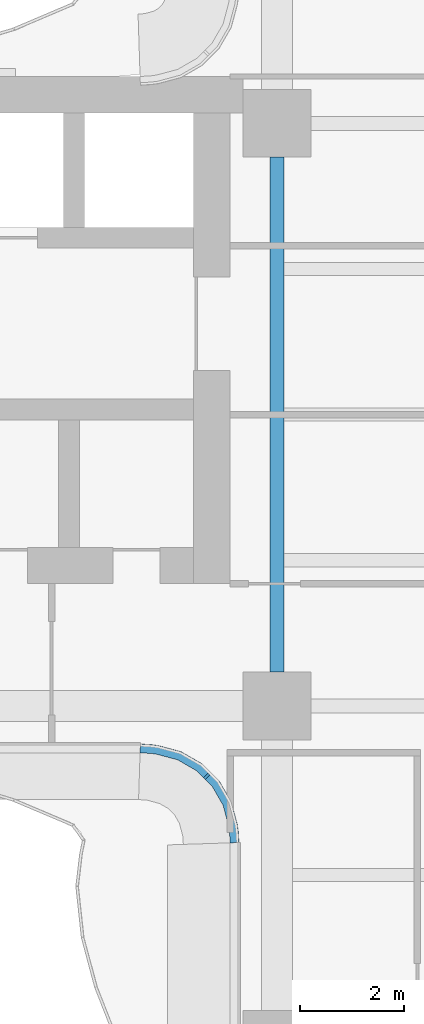
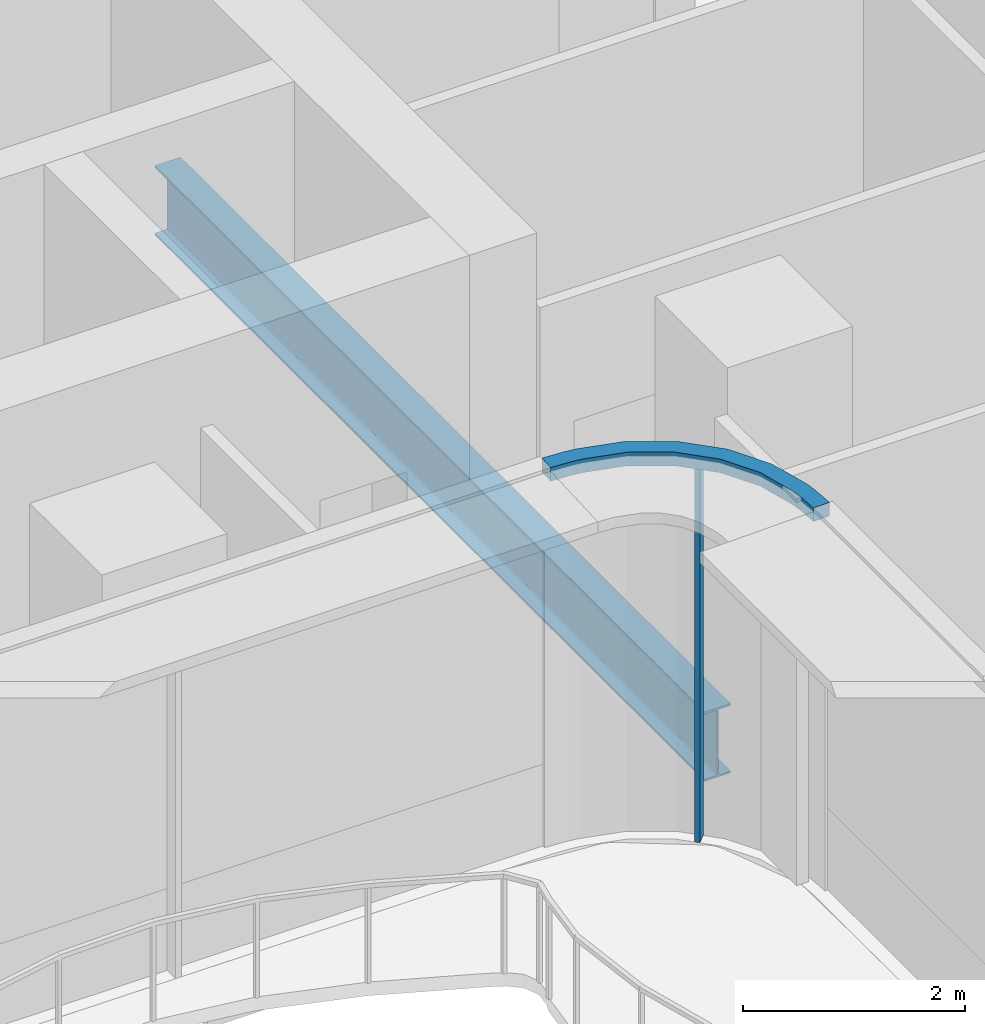
# One storey, part 4 of 20: 2 members, 1 beam, 1 element without a shape of its own.
"""IFC4 building model written with IfcOpenShell, lengths in metres."""

from ifc_helpers import new_model, si_unit, direction, frame, origin, origin_2d, place, context, subcontext, project, spatial, polyline, rectangle, i_section, outline, extrude, source, transform, mapped, material, layer, layer_set, material_profile, profile_set, type_object, element, aggregate, save


model = new_model("IFC4")

# Units and contexts
model_context = context("Model", 3, precision=1e-05, world=origin(), true_north=direction((0.0, 1.0)))
body_context = subcontext(model_context, "Body", "Model", "MODEL_VIEW")
ifc_project = project(units=[si_unit("LENGTHUNIT", "METRE"), si_unit("AREAUNIT", "SQUARE_METRE"), si_unit("VOLUMEUNIT", "CUBIC_METRE"), si_unit("PLANEANGLEUNIT", "RADIAN"), si_unit("MASSUNIT", "GRAM", prefix="KILO")], contexts=[model_context])

# Site, building, storey
site_placement = place(None, origin())
site = spatial("IfcSite", under=ifc_project, at=site_placement, CompositionType="ELEMENT")
building_placement = place(site_placement, origin())
building = spatial("IfcBuilding", under=site, at=building_placement, Name="Trellis Farm Tower", CompositionType="ELEMENT")
storey_placement = place(building_placement, frame((0.0, 0.0, 133.5)))
storey = spatial("IfcBuildingStorey", under=building, at=storey_placement, Name="L28", CompositionType="ELEMENT", Elevation=133.5)

# Beam
ifc_material_1 = material(Name="Steel S355", Category="steel")
ifc_material_profile_1 = material_profile(ifc_material_1, i_section(OverallWidth=0.2666015625, OverallDepth=0.76220703125, WebThickness=0.014404296875, FlangeThickness=0.021484375, FilletRadius=0.0166015625, at=origin_2d()), Name="UB 762x267x173")
ifc_profile_set_1 = profile_set([ifc_material_profile_1], Name="Steel S355")
beam_type = type_object("IfcBeamType", Name="UB 762x267x173", PredefinedType="BEAM", material=ifc_profile_set_1)
shared_shape_1 = source(origin(), body_context, "Body", "SweptSolid", [
    extrude(i_section(OverallWidth=0.2666015625, OverallDepth=0.76220703125, WebThickness=0.014404296875, FlangeThickness=0.021484375, FilletRadius=0.0166015625, at=origin_2d()), origin(), (0.0, 0.0, 1.0), 9.89990234375),
])
beam_placement = place(storey_placement, frame((-5.60009765625, -4.949951171875, -0.631103515625), z_axis=(0.0, 1.0, 0.0), x_axis=(-1.0, 0.0, 0.0)))
element("IfcBeam", 1, at=beam_placement, inside=storey, type_object=beam_type, Name="Girder", PredefinedType="BEAM", context=body_context, shape_type="MappedRepresentation", body=[
    mapped(shared_shape_1, transform((0.0, 0.0, 0.0))),
])

# Curtain wall, members
ifc_material_2 = material(Name="Aluminium and glass curtain wall", Category="aluminium")
ifc_layer_1 = layer(ifc_material_2, 0.166015625)
ifc_layer_set_1 = layer_set([ifc_layer_1], Name="WINTER GARDEN CURTAIN WALL CW3")
curtain_wall_type = type_object("IfcCurtainWallType", Name="WINTER GARDEN CURTAIN WALL CW3", PredefinedType="NOTDEFINED", material=ifc_layer_set_1)
curtain_wall_placement = place(storey_placement, origin())
curtain_wall = element("IfcCurtainWall", 2, at=curtain_wall_placement, inside=storey, type_object=curtain_wall_type, Name="CW3 001", PredefinedType="NOTDEFINED")
ifc_material_3 = material(Name="Aluminium extrusion 6063-T6", Category="aluminium")
ifc_material_profile_2 = material_profile(ifc_material_3, rectangle(XDim=0.050048828125, YDim=0.1201171875, at=origin_2d()), Name="MULLION 50x120")
ifc_profile_set_2 = profile_set([ifc_material_profile_2], Name="Aluminium extrusion 6063-T6")
member_type_1 = type_object("IfcMemberType", Name="CW3 MULLION 50x120", PredefinedType="MULLION", material=ifc_profile_set_2)
shared_shape_2 = source(origin(), body_context, "Body", "SweptSolid", [
    extrude(rectangle(XDim=0.050048828125, YDim=0.1201171875, at=origin_2d()), origin(), (0.0, 0.0, 1.0), 4.10009765625),
])
member_1_placement = place(storey_placement, frame((-6.953125, -6.953125, 0.0), z_axis=(0.0, 0.0, 1.0), x_axis=(0.707106781187, -0.707106781187, 0.0)))
member_1 = element("IfcMember", 3, at=member_1_placement, type_object=member_type_1, Name="MU3 001-01", PredefinedType="MULLION", context=body_context, shape_type="MappedRepresentation", body=[
    mapped(shared_shape_2, transform((0.0, 0.0, 0.0))),
])
ifc_layer_2 = layer(ifc_material_3, 0.169921875)
ifc_layer_set_2 = layer_set([ifc_layer_2], Name="Aluminium extrusion 6063-T6")
member_type_2 = type_object("IfcMemberType", Name="CW3 TRANSOM 170x150", PredefinedType="USERDEFINED", material=ifc_layer_set_2)
shared_shape_3 = source(origin(), body_context, "Body", "SweptSolid", [
    extrude(outline(polyline([(-8.2314453125, -6.5), (-8.01953125, -6.513916015625), (-7.91552734375, -6.527587890625), (-7.508544921875, -6.63671875), (-7.144287109375, -6.846923828125), (-6.846923828125, -7.144287109375), (-6.63671875, -7.508544921875), (-6.527587890625, -7.91552734375), (-6.513916015625, -8.01953125), (-6.5, -8.2314453125), (-6.330078125, -8.225830078125), (-6.3447265625, -8.0029296875), (-6.360595703125, -7.88232421875), (-6.478271484375, -7.44287109375), (-6.7109375, -7.0400390625), (-7.0400390625, -6.7109375), (-7.44287109375, -6.478271484375), (-7.88232421875, -6.360595703125), (-8.0029296875, -6.3447265625), (-8.225830078125, -6.330078125), (-8.2314453125, -6.5)])), origin(), (0.0, 0.0, 1.0), 0.14990234375),
])
member_2_placement = place(storey_placement, frame((0.0, 0.0, 4.10009765625)))
member_2 = element("IfcMember", 4, at=member_2_placement, type_object=member_type_2, Name="TR3 001", ObjectType="TRANSOM", PredefinedType="USERDEFINED", context=body_context, shape_type="MappedRepresentation", body=[
    mapped(shared_shape_3, transform((0.0, 0.0, 0.0))),
])
aggregate(curtain_wall, [member_1, member_2])

save(model, "model.ifc")
